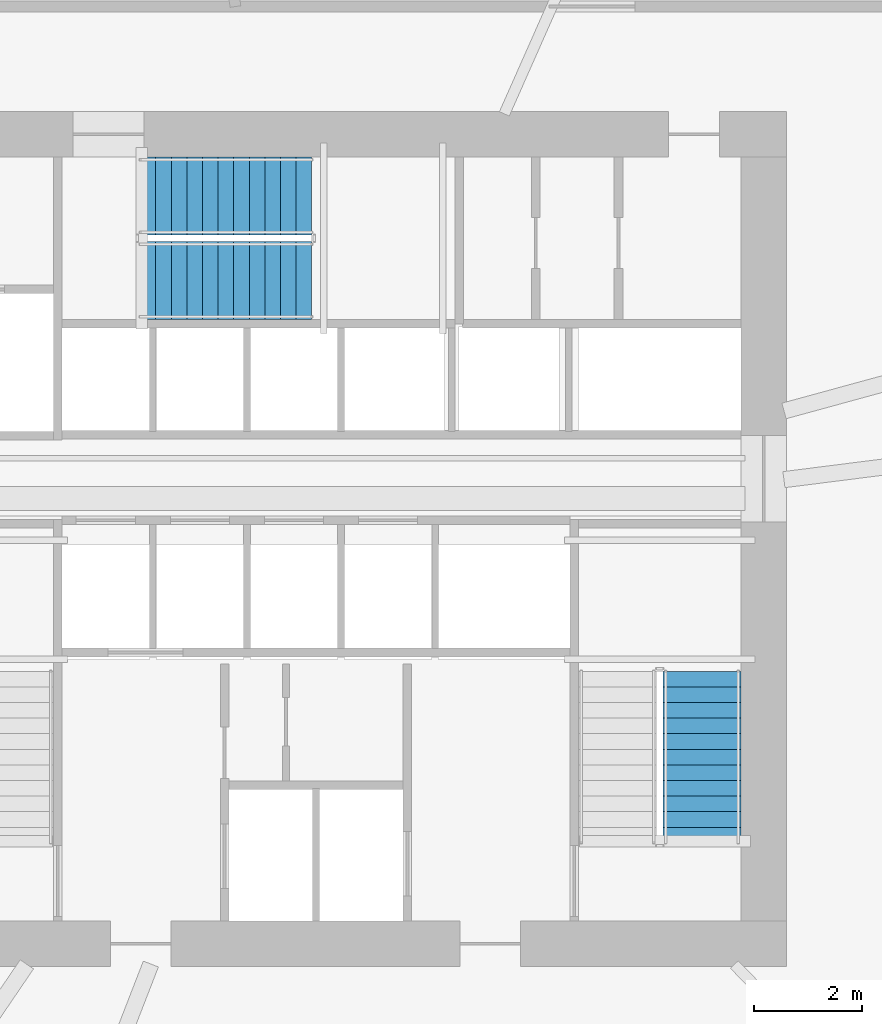
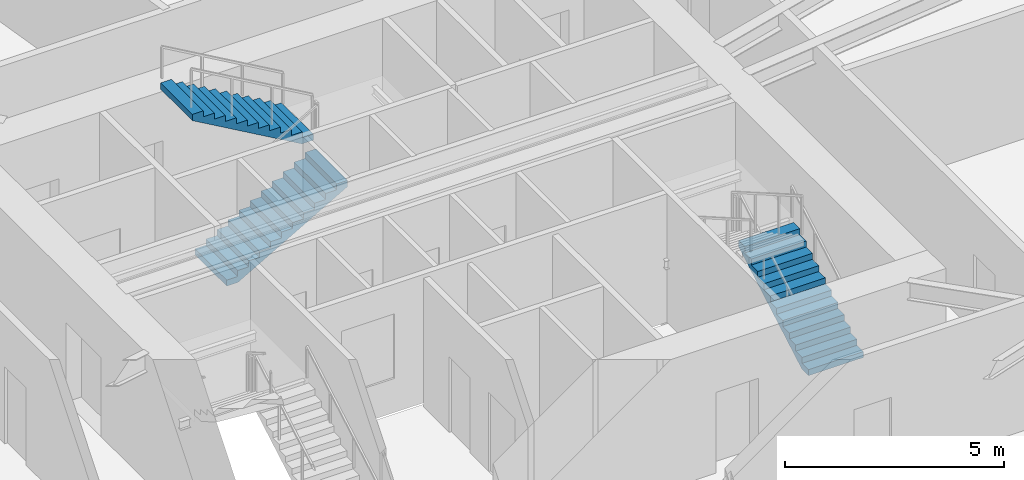
# One storey, part 16 of 17: 3 stair flights, 2 elements without a shape of their own.
"""IFC4 building model written with IfcOpenShell, lengths in metres."""

from ifc_helpers import new_model, si_unit, direction, frame, origin, place, context, subcontext, project, spatial, polyline, outline, extrude, material, type_object, element, aggregate, save


model = new_model("IFC4")

# Units and contexts
model_context = context("Model", 3, precision=1e-05, world=origin(), true_north=direction((0.0, 1.0)))
body_context = subcontext(model_context, "Body", "Model", "MODEL_VIEW")
ifc_project = project(units=[si_unit("LENGTHUNIT", "METRE"), si_unit("AREAUNIT", "SQUARE_METRE"), si_unit("VOLUMEUNIT", "CUBIC_METRE"), si_unit("PLANEANGLEUNIT", "RADIAN"), si_unit("MASSUNIT", "GRAM", prefix="KILO")], contexts=[model_context])

# Site, building, storey
site_placement = place(None, origin())
site = spatial("IfcSite", under=ifc_project, at=site_placement, CompositionType="ELEMENT")
building_placement = place(site_placement, origin())
building = spatial("IfcBuilding", under=site, at=building_placement, Name="Olszyna Solenne Hotel", CompositionType="ELEMENT")
storey_placement = place(building_placement, frame((0.0, 0.0, 75.89990234375)))
storey = spatial("IfcBuildingStorey", under=building, at=storey_placement, Name="L19", CompositionType="ELEMENT", Elevation=75.89990234375)

# Stair, stair flight
ifc_material = material(Name="Concrete C40/50", Category="concrete")
stair_type = type_object("IfcStairType", Name="STR-C1", PredefinedType="TWO_QUARTER_WINDING_STAIR", material=ifc_material)
stair_1_placement = place(storey_placement, origin())
stair_1 = element("IfcStair", 1, at=stair_1_placement, inside=storey, type_object=stair_type, Name="L19 ST2", PredefinedType="TWO_QUARTER_WINDING_STAIR")
stair_flight_type = type_object("IfcStairFlightType", Name="FLT-C1", PredefinedType="STRAIGHT", material=ifc_material)
stair_flight_1_placement = place(storey_placement, frame((45.175048828125, 20.949951171875, 0.0), z_axis=(0.0, 0.0, 1.0), x_axis=(0.0, 1.0, 0.0)))
stair_flight_1 = element("IfcStairFlight", 2, at=stair_flight_1_placement, type_object=stair_flight_type, Name="ST2 flight 1", NumberOfRisers=12, NumberOfTreads=11, PredefinedType="STRAIGHT", RiserHeight=0.166666667, TreadLength=0.29, context=body_context, shape_type="SweptSolid", body=[
    extrude(outline(polyline([(0.0, 0.0), (0.0, 0.166748046875), (0.2900390625, 0.166748046875), (0.2900390625, 0.333251953125), (0.580078125, 0.333251953125), (0.580078125, 0.5), (0.8701171875, 0.5), (0.8701171875, 0.666748046875), (1.159912109375, 0.666748046875), (1.159912109375, 0.833251953125), (1.449951171875, 0.833251953125), (1.449951171875, 1.0), (1.739990234375, 1.0), (1.739990234375, 1.166748046875), (2.030029296875, 1.166748046875), (2.030029296875, 1.333251953125), (2.320068359375, 1.333251953125), (2.320068359375, 1.5), (2.610107421875, 1.5), (2.610107421875, 1.666748046875), (2.89990234375, 1.666748046875), (2.89990234375, 1.833251953125), (3.18994140625, 1.833251953125), (3.18994140625, 2.0), (3.18994140625, 1.660400390625), (0.30078125, 0.0), (0.0, 0.0)])), frame((0.0, 0.72509765625, 0.0), z_axis=(0.0, -1.0, 0.0), x_axis=(1.0, 0.0, 0.0)), (0.0, 0.0, 1.0), 1.449951171875),
])
aggregate(stair_1, [stair_flight_1])

# Stair, stair flights
stair_2_placement = place(storey_placement, origin())
stair_2 = element("IfcStair", 3, at=stair_2_placement, inside=storey, type_object=stair_type, Name="L19 ST3", PredefinedType="TWO_QUARTER_WINDING_STAIR")
stair_flight_2_placement = place(storey_placement, frame((34.72998046875, 31.405029296875, 0.0), z_axis=(0.0, 0.0, 1.0), x_axis=(1.0, 0.0, 0.0)))
stair_flight_2 = element("IfcStairFlight", 4, at=stair_flight_2_placement, type_object=stair_flight_type, Name="ST3 flight 1", NumberOfRisers=12, NumberOfTreads=11, PredefinedType="STRAIGHT", RiserHeight=0.166666667, TreadLength=0.29, context=body_context, shape_type="SweptSolid", body=[
    extrude(outline(polyline([(0.0, 0.0), (0.0, 0.166748046875), (0.2900390625, 0.166748046875), (0.2900390625, 0.333251953125), (0.580078125, 0.333251953125), (0.580078125, 0.5), (0.8701171875, 0.5), (0.8701171875, 0.666748046875), (1.159912109375, 0.666748046875), (1.159912109375, 0.833251953125), (1.449951171875, 0.833251953125), (1.449951171875, 1.0), (1.739990234375, 1.0), (1.739990234375, 1.166748046875), (2.030029296875, 1.166748046875), (2.030029296875, 1.333251953125), (2.320068359375, 1.333251953125), (2.320068359375, 1.5), (2.610107421875, 1.5), (2.610107421875, 1.666748046875), (2.89990234375, 1.666748046875), (2.89990234375, 1.833251953125), (3.18994140625, 1.833251953125), (3.18994140625, 2.0), (3.18994140625, 1.660400390625), (0.30078125, 0.0), (0.0, 0.0)])), frame((0.0, 0.72509765625, 0.0), z_axis=(0.0, -1.0, 0.0), x_axis=(1.0, 0.0, 0.0)), (0.0, 0.0, 1.0), 1.449951171875),
])
stair_flight_3_placement = place(storey_placement, frame((37.919921875, 32.97509765625, 2.0), z_axis=(0.0, 0.0, 1.0), x_axis=(-1.0, 0.0, 0.0)))
stair_flight_3 = element("IfcStairFlight", 5, at=stair_flight_3_placement, type_object=stair_flight_type, Name="ST3 flight 2", NumberOfRisers=12, NumberOfTreads=11, PredefinedType="STRAIGHT", RiserHeight=0.166666667, TreadLength=0.29, context=body_context, shape_type="SweptSolid", body=[
    extrude(outline(polyline([(0.0, 0.0), (0.0, 0.166748046875), (0.2900390625, 0.166748046875), (0.2900390625, 0.333251953125), (0.580078125, 0.333251953125), (0.580078125, 0.5), (0.8701171875, 0.5), (0.8701171875, 0.666748046875), (1.159912109375, 0.666748046875), (1.159912109375, 0.833251953125), (1.449951171875, 0.833251953125), (1.449951171875, 1.0), (1.739990234375, 1.0), (1.739990234375, 1.166748046875), (2.030029296875, 1.166748046875), (2.030029296875, 1.333251953125), (2.320068359375, 1.333251953125), (2.320068359375, 1.5), (2.610107421875, 1.5), (2.610107421875, 1.666748046875), (2.89990234375, 1.666748046875), (2.89990234375, 1.833251953125), (3.18994140625, 1.833251953125), (3.18994140625, 2.0), (3.18994140625, 1.660400390625), (0.30078125, 0.0), (0.0, 0.0)])), frame((0.0, 0.72509765625, 0.0), z_axis=(0.0, -1.0, 0.0), x_axis=(1.0, 0.0, 0.0)), (0.0, 0.0, 1.0), 1.449951171875),
])
aggregate(stair_2, [stair_flight_2, stair_flight_3])

save(model, "model.ifc")
